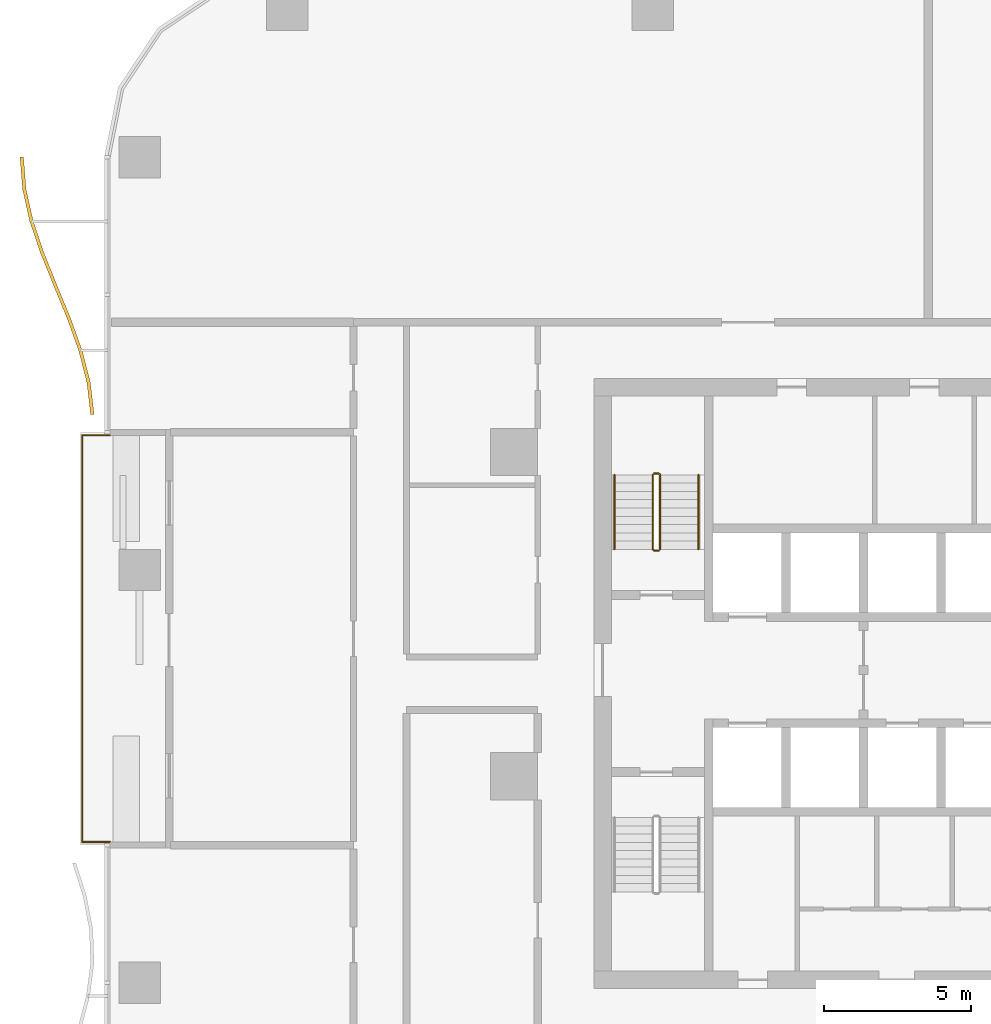
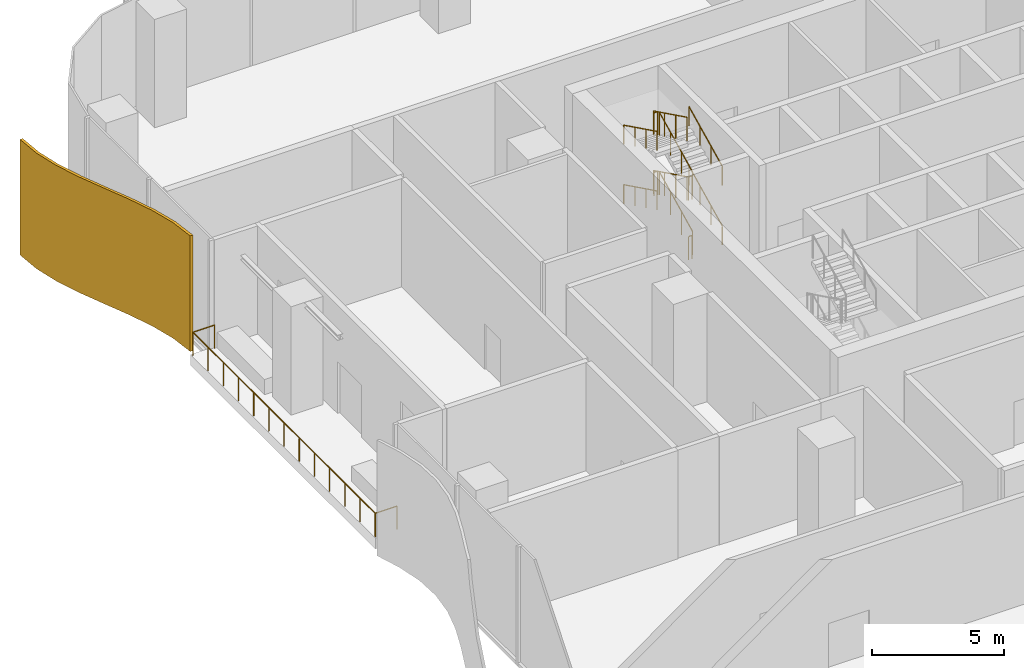
# One storey, part 17 of 20: 10 railings, 1 shading device.
"""IFC4 building model written with IfcOpenShell, lengths in metres."""

from ifc_helpers import new_model, si_unit, direction, frame, origin, origin_2d, place, context, subcontext, project, spatial, polyline, circle, outline, extrude, material, layer, layer_set, type_object, element, save


model = new_model("IFC4")

# Units and contexts
model_context = context("Model", 3, precision=1e-05, world=origin(), true_north=direction((0.0, 1.0)))
body_context = subcontext(model_context, "Body", "Model", "MODEL_VIEW")
ifc_project = project(units=[si_unit("LENGTHUNIT", "METRE"), si_unit("AREAUNIT", "SQUARE_METRE"), si_unit("VOLUMEUNIT", "CUBIC_METRE"), si_unit("PLANEANGLEUNIT", "RADIAN"), si_unit("MASSUNIT", "GRAM", prefix="KILO")], contexts=[model_context])

# Site, building, storey
site_placement = place(None, origin())
site = spatial("IfcSite", under=ifc_project, at=site_placement, CompositionType="ELEMENT")
building_placement = place(site_placement, origin())
building = spatial("IfcBuilding", under=site, at=building_placement, Name="Mopane Tessera Tower", CompositionType="ELEMENT")
storey_placement = place(building_placement, frame((0.0, 0.0, 14.5)))
storey = spatial("IfcBuildingStorey", under=building, at=storey_placement, Name="L02", CompositionType="ELEMENT", Elevation=14.5)

# Railings
ifc_material_1 = material(Name="Powder-coated steel balustrade", Category="steel")
railing_type_1 = type_object("IfcRailingType", Name="Escape stair guard 1100 mm", PredefinedType="GUARDRAIL", material=ifc_material_1)
railing_1_placement = place(storey_placement, frame((-12.14990234375, 7.699951171875, 0.137451171875)))
element("IfcRailing", 1, at=railing_1_placement, inside=storey, type_object=railing_type_1, Name="L02 ST2 stair guard 1", PredefinedType="GUARDRAIL", context=body_context, shape_type="SweptSolid", body=[
    extrude(circle(Radius=0.02392578125, at=origin_2d()), frame((0.0, 0.0, 1.076171875), z_axis=(0.0, 0.897604431175, 0.440801866075), x_axis=(-1.0, 0.0, 0.0)), (0.0, 0.0, 1.0), 2.807373046875),
    extrude(circle(Radius=0.02392578125, at=origin_2d()), frame((0.0, 2.52001953125, 2.3134765625), z_axis=(-0.707106781187, 0.707106781187, 0.0), x_axis=(-0.707106781187, -0.707106781187, 0.0)), (0.0, 0.0, 1.0), 0.07080078125),
    extrude(circle(Radius=0.02392578125, at=origin_2d()), frame((-0.050048828125, 2.570068359375, 2.3134765625), z_axis=(-1.0, 0.0, 0.0), x_axis=(0.0, -1.0, 0.0)), (0.0, 0.0, 1.0), 0.150146484375),
    extrude(circle(Radius=0.02099609375, at=origin_2d()), origin(), (0.0, 0.0, 1.0), 1.052001953125),
    extrude(circle(Radius=0.02099609375, at=origin_2d()), frame((0.0, 0.840087890625, 0.41259765625)), (0.0, 0.0, 1.0), 1.052001953125),
    extrude(circle(Radius=0.02099609375, at=origin_2d()), frame((0.0, 1.679931640625, 0.824951171875)), (0.0, 0.0, 1.0), 1.052001953125),
    extrude(circle(Radius=0.02099609375, at=origin_2d()), frame((0.0, 2.52001953125, 1.237548828125)), (0.0, 0.0, 1.0), 1.052001953125),
    extrude(circle(Radius=0.02099609375, at=origin_2d()), frame((-0.050048828125, 2.570068359375, 1.237548828125)), (0.0, 0.0, 1.0), 1.052001953125),
    extrude(circle(Radius=0.02099609375, at=origin_2d()), frame((-0.2001953125, 2.570068359375, 1.237548828125)), (0.0, 0.0, 1.0), 1.052001953125),
])
railing_2_placement = place(storey_placement, frame((-12.39990234375, 10.219970703125, 1.512451171875)))
element("IfcRailing", 2, at=railing_2_placement, inside=storey, type_object=railing_type_1, Name="L02 ST2 stair guard 2", PredefinedType="GUARDRAIL", context=body_context, shape_type="SweptSolid", body=[
    extrude(circle(Radius=0.02392578125, at=origin_2d()), frame((0.0, 0.0, 1.076171875), z_axis=(0.0, -0.897604431175, 0.440801866075), x_axis=(1.0, 0.0, 0.0)), (0.0, 0.0, 1.0), 2.807373046875),
    extrude(circle(Radius=0.02392578125, at=origin_2d()), frame((0.0, -2.52001953125, 2.3134765625), z_axis=(0.705375805398, -0.708833529934, 0.0), x_axis=(0.708833529934, 0.705375805398, 0.0)), (0.0, 0.0, 1.0), 0.070556640625),
    extrude(circle(Radius=0.02392578125, at=origin_2d()), frame((0.0498046875, -2.570068359375, 2.3134765625), z_axis=(1.0, 0.0, 0.0), x_axis=(0.0, 1.0, 0.0)), (0.0, 0.0, 1.0), 0.150146484375),
    extrude(circle(Radius=0.02099609375, at=origin_2d()), origin(), (0.0, 0.0, 1.0), 1.052001953125),
    extrude(circle(Radius=0.02099609375, at=origin_2d()), frame((0.0, -0.840087890625, 0.41259765625)), (0.0, 0.0, 1.0), 1.052001953125),
    extrude(circle(Radius=0.02099609375, at=origin_2d()), frame((0.0, -1.679931640625, 0.824951171875)), (0.0, 0.0, 1.0), 1.052001953125),
    extrude(circle(Radius=0.02099609375, at=origin_2d()), frame((0.0, -2.52001953125, 1.237548828125)), (0.0, 0.0, 1.0), 1.052001953125),
    extrude(circle(Radius=0.02099609375, at=origin_2d()), frame((0.0498046875, -2.570068359375, 1.237548828125)), (0.0, 0.0, 1.0), 1.052001953125),
    extrude(circle(Radius=0.02099609375, at=origin_2d()), frame((0.199951171875, -2.570068359375, 1.237548828125)), (0.0, 0.0, 1.0), 1.052001953125),
])
railing_3_placement = place(storey_placement, frame((-12.14990234375, 7.699951171875, 2.887451171875)))
element("IfcRailing", 3, at=railing_3_placement, inside=storey, type_object=railing_type_1, Name="L02 ST2 stair guard 3", PredefinedType="GUARDRAIL", context=body_context, shape_type="SweptSolid", body=[
    extrude(circle(Radius=0.02392578125, at=origin_2d()), frame((0.0, 0.0, 1.076171875), z_axis=(0.0, 0.897604431175, 0.440801866075), x_axis=(-1.0, 0.0, 0.0)), (0.0, 0.0, 1.0), 2.807373046875),
    extrude(circle(Radius=0.02392578125, at=origin_2d()), frame((0.0, 2.52001953125, 2.3134765625), z_axis=(-0.707106781187, 0.707106781187, 0.0), x_axis=(-0.707106781187, -0.707106781187, 0.0)), (0.0, 0.0, 1.0), 0.07080078125),
    extrude(circle(Radius=0.02392578125, at=origin_2d()), frame((-0.050048828125, 2.570068359375, 2.3134765625), z_axis=(-1.0, 0.0, 0.0), x_axis=(0.0, -1.0, 0.0)), (0.0, 0.0, 1.0), 0.150146484375),
    extrude(circle(Radius=0.02099609375, at=origin_2d()), origin(), (0.0, 0.0, 1.0), 1.052001953125),
    extrude(circle(Radius=0.02099609375, at=origin_2d()), frame((0.0, 0.840087890625, 0.41259765625)), (0.0, 0.0, 1.0), 1.052001953125),
    extrude(circle(Radius=0.02099609375, at=origin_2d()), frame((0.0, 1.679931640625, 0.824951171875)), (0.0, 0.0, 1.0), 1.052001953125),
    extrude(circle(Radius=0.02099609375, at=origin_2d()), frame((0.0, 2.52001953125, 1.237548828125)), (0.0, 0.0, 1.0), 1.052001953125),
    extrude(circle(Radius=0.02099609375, at=origin_2d()), frame((-0.050048828125, 2.570068359375, 1.237548828125)), (0.0, 0.0, 1.0), 1.052001953125),
    extrude(circle(Radius=0.02099609375, at=origin_2d()), frame((-0.2001953125, 2.570068359375, 1.237548828125)), (0.0, 0.0, 1.0), 1.052001953125),
])
railing_4_placement = place(storey_placement, frame((-12.39990234375, 10.219970703125, 4.262451171875)))
element("IfcRailing", 4, at=railing_4_placement, inside=storey, type_object=railing_type_1, Name="L02 ST2 stair guard 4", PredefinedType="GUARDRAIL", context=body_context, shape_type="SweptSolid", body=[
    extrude(circle(Radius=0.02392578125, at=origin_2d()), frame((0.0, 0.0, 1.076171875), z_axis=(0.0, -0.897604431175, 0.440801866075), x_axis=(1.0, 0.0, 0.0)), (0.0, 0.0, 1.0), 2.807373046875),
    extrude(circle(Radius=0.02099609375, at=origin_2d()), origin(), (0.0, 0.0, 1.0), 1.052001953125),
    extrude(circle(Radius=0.02099609375, at=origin_2d()), frame((0.0, -0.840087890625, 0.41259765625)), (0.0, 0.0, 1.0), 1.052001953125),
    extrude(circle(Radius=0.02099609375, at=origin_2d()), frame((0.0, -1.679931640625, 0.824951171875)), (0.0, 0.0, 1.0), 1.052001953125),
    extrude(circle(Radius=0.02099609375, at=origin_2d()), frame((0.0, -2.52001953125, 1.237548828125)), (0.0, 0.0, 1.0), 1.052001953125),
])
railing_5_placement = place(storey_placement, frame((-12.199951171875, 7.64990234375, 0.0)))
element("IfcRailing", 5, at=railing_5_placement, inside=storey, type_object=railing_type_1, Name="L02 ST2 stair guard 5", PredefinedType="GUARDRAIL", context=body_context, shape_type="SweptSolid", body=[
    extrude(circle(Radius=0.02392578125, at=origin_2d()), frame((0.0, 0.0, 1.076171875), z_axis=(-1.0, 0.0, 0.0), x_axis=(0.0, -1.0, 0.0)), (0.0, 0.0, 1.0), 0.150146484375),
    extrude(circle(Radius=0.02099609375, at=origin_2d()), origin(), (0.0, 0.0, 1.0), 1.052001953125),
    extrude(circle(Radius=0.02099609375, at=origin_2d()), frame((-0.150146484375, 0.0, 0.0)), (0.0, 0.0, 1.0), 1.052001953125),
])
ifc_material_2 = material(Name="Powder-coated steel balustrade", Category="steel")
railing_type_2 = type_object("IfcRailingType", Name="Escape stair handrail 900 mm", PredefinedType="HANDRAIL", material=ifc_material_2)
railing_6_placement = place(storey_placement, frame((-10.85009765625, 7.699951171875, 0.137451171875)))
element("IfcRailing", 6, at=railing_6_placement, inside=storey, type_object=railing_type_2, Name="L02 ST2 stair handrail 1", PredefinedType="HANDRAIL", context=body_context, shape_type="SweptSolid", body=[
    extrude(circle(Radius=0.02392578125, at=origin_2d()), frame((0.0, 0.0, 0.8759765625), z_axis=(0.0, 0.897604431175, 0.440801866075), x_axis=(-1.0, 0.0, 0.0)), (0.0, 0.0, 1.0), 2.807373046875),
    extrude(circle(Radius=0.02099609375, at=origin_2d()), origin(), (0.0, 0.0, 1.0), 0.851806640625),
    extrude(circle(Radius=0.02099609375, at=origin_2d()), frame((0.0, 0.840087890625, 0.41259765625)), (0.0, 0.0, 1.0), 0.851806640625),
    extrude(circle(Radius=0.02099609375, at=origin_2d()), frame((0.0, 1.679931640625, 0.824951171875)), (0.0, 0.0, 1.0), 0.851806640625),
    extrude(circle(Radius=0.02099609375, at=origin_2d()), frame((0.0, 2.52001953125, 1.237548828125)), (0.0, 0.0, 1.0), 0.851806640625),
])
railing_7_placement = place(storey_placement, frame((-13.699951171875, 10.219970703125, 1.512451171875)))
element("IfcRailing", 7, at=railing_7_placement, inside=storey, type_object=railing_type_2, Name="L02 ST2 stair handrail 2", PredefinedType="HANDRAIL", context=body_context, shape_type="SweptSolid", body=[
    extrude(circle(Radius=0.02392578125, at=origin_2d()), frame((0.0, 0.0, 0.8759765625), z_axis=(0.0, -0.897604431175, 0.440801866075), x_axis=(1.0, 0.0, 0.0)), (0.0, 0.0, 1.0), 2.807373046875),
    extrude(circle(Radius=0.02099609375, at=origin_2d()), origin(), (0.0, 0.0, 1.0), 0.851806640625),
    extrude(circle(Radius=0.02099609375, at=origin_2d()), frame((0.0, -0.840087890625, 0.41259765625)), (0.0, 0.0, 1.0), 0.851806640625),
    extrude(circle(Radius=0.02099609375, at=origin_2d()), frame((0.0, -1.679931640625, 0.824951171875)), (0.0, 0.0, 1.0), 0.851806640625),
    extrude(circle(Radius=0.02099609375, at=origin_2d()), frame((0.0, -2.52001953125, 1.237548828125)), (0.0, 0.0, 1.0), 0.851806640625),
])
railing_8_placement = place(storey_placement, frame((-10.85009765625, 7.699951171875, 2.887451171875)))
element("IfcRailing", 8, at=railing_8_placement, inside=storey, type_object=railing_type_2, Name="L02 ST2 stair handrail 3", PredefinedType="HANDRAIL", context=body_context, shape_type="SweptSolid", body=[
    extrude(circle(Radius=0.02392578125, at=origin_2d()), frame((0.0, 0.0, 0.8759765625), z_axis=(0.0, 0.897604431175, 0.440801866075), x_axis=(-1.0, 0.0, 0.0)), (0.0, 0.0, 1.0), 2.807373046875),
    extrude(circle(Radius=0.02099609375, at=origin_2d()), origin(), (0.0, 0.0, 1.0), 0.851806640625),
    extrude(circle(Radius=0.02099609375, at=origin_2d()), frame((0.0, 0.840087890625, 0.41259765625)), (0.0, 0.0, 1.0), 0.851806640625),
    extrude(circle(Radius=0.02099609375, at=origin_2d()), frame((0.0, 1.679931640625, 0.824951171875)), (0.0, 0.0, 1.0), 0.851806640625),
    extrude(circle(Radius=0.02099609375, at=origin_2d()), frame((0.0, 2.52001953125, 1.237548828125)), (0.0, 0.0, 1.0), 0.851806640625),
])
railing_9_placement = place(storey_placement, frame((-13.699951171875, 10.219970703125, 4.262451171875)))
element("IfcRailing", 9, at=railing_9_placement, inside=storey, type_object=railing_type_2, Name="L02 ST2 stair handrail 4", PredefinedType="HANDRAIL", context=body_context, shape_type="SweptSolid", body=[
    extrude(circle(Radius=0.02392578125, at=origin_2d()), frame((0.0, 0.0, 0.8759765625), z_axis=(0.0, -0.897604431175, 0.440801866075), x_axis=(1.0, 0.0, 0.0)), (0.0, 0.0, 1.0), 2.807373046875),
    extrude(circle(Radius=0.02099609375, at=origin_2d()), origin(), (0.0, 0.0, 1.0), 0.851806640625),
    extrude(circle(Radius=0.02099609375, at=origin_2d()), frame((0.0, -0.840087890625, 0.41259765625)), (0.0, 0.0, 1.0), 0.851806640625),
    extrude(circle(Radius=0.02099609375, at=origin_2d()), frame((0.0, -1.679931640625, 0.824951171875)), (0.0, 0.0, 1.0), 0.851806640625),
    extrude(circle(Radius=0.02099609375, at=origin_2d()), frame((0.0, -2.52001953125, 1.237548828125)), (0.0, 0.0, 1.0), 0.851806640625),
])
ifc_material_3 = material(Name="Stainless steel S316", Category="steel")
railing_type_3 = type_object("IfcRailingType", Name="Terrace guard 1100", PredefinedType="GUARDRAIL", material=ifc_material_3)
railing_10_placement = place(storey_placement, frame((-30.800048828125, 11.566650390625, 0.0)))
element("IfcRailing", 10, at=railing_10_placement, inside=storey, type_object=railing_type_3, Name="e:nw:L02:N3:guard", PredefinedType="GUARDRAIL", context=body_context, shape_type="SweptSolid", body=[
    extrude(circle(Radius=0.02392578125, at=origin_2d()), frame((0.0, 0.0, 1.076171875), z_axis=(-1.0, 0.0, 0.0), x_axis=(0.0, -1.0, 0.0)), (0.0, 0.0, 1.0), 0.949951171875),
    extrude(circle(Radius=0.02392578125, at=origin_2d()), frame((-0.949951171875, 0.0, 1.076171875), z_axis=(0.0, -1.0, 0.0), x_axis=(1.0, 0.0, 0.0)), (0.0, 0.0, 1.0), 13.800048828125),
    extrude(circle(Radius=0.02392578125, at=origin_2d()), frame((-0.949951171875, -13.800048828125, 1.076171875), z_axis=(1.0, 0.0, 0.0), x_axis=(0.0, 1.0, 0.0)), (0.0, 0.0, 1.0), 0.949951171875),
    extrude(circle(Radius=0.02099609375, at=origin_2d()), origin(), (0.0, 0.0, 1.0), 1.052001953125),
    extrude(circle(Radius=0.02099609375, at=origin_2d()), frame((-0.949951171875, 0.0, 0.0)), (0.0, 0.0, 1.0), 1.052001953125),
    extrude(circle(Radius=0.02099609375, at=origin_2d()), frame((-0.949951171875, -1.14990234375, 0.0)), (0.0, 0.0, 1.0), 1.052001953125),
    extrude(circle(Radius=0.02099609375, at=origin_2d()), frame((-0.949951171875, -2.300048828125, 0.0)), (0.0, 0.0, 1.0), 1.052001953125),
    extrude(circle(Radius=0.02099609375, at=origin_2d()), frame((-0.949951171875, -3.449951171875, 0.0)), (0.0, 0.0, 1.0), 1.052001953125),
    extrude(circle(Radius=0.02099609375, at=origin_2d()), frame((-0.949951171875, -4.60009765625, 0.0)), (0.0, 0.0, 1.0), 1.052001953125),
    extrude(circle(Radius=0.02099609375, at=origin_2d()), frame((-0.949951171875, -5.75, 0.0)), (0.0, 0.0, 1.0), 1.052001953125),
    extrude(circle(Radius=0.02099609375, at=origin_2d()), frame((-0.949951171875, -6.89990234375, 0.0)), (0.0, 0.0, 1.0), 1.052001953125),
    extrude(circle(Radius=0.02099609375, at=origin_2d()), frame((-0.949951171875, -8.050048828125, 0.0)), (0.0, 0.0, 1.0), 1.052001953125),
    extrude(circle(Radius=0.02099609375, at=origin_2d()), frame((-0.949951171875, -9.199951171875, 0.0)), (0.0, 0.0, 1.0), 1.052001953125),
    extrude(circle(Radius=0.02099609375, at=origin_2d()), frame((-0.949951171875, -10.35009765625, 0.0)), (0.0, 0.0, 1.0), 1.052001953125),
    extrude(circle(Radius=0.02099609375, at=origin_2d()), frame((-0.949951171875, -11.5, 0.0)), (0.0, 0.0, 1.0), 1.052001953125),
    extrude(circle(Radius=0.02099609375, at=origin_2d()), frame((-0.949951171875, -12.650146484375, 0.0)), (0.0, 0.0, 1.0), 1.052001953125),
    extrude(circle(Radius=0.02099609375, at=origin_2d()), frame((-0.949951171875, -13.800048828125, 0.0)), (0.0, 0.0, 1.0), 1.052001953125),
    extrude(circle(Radius=0.02099609375, at=origin_2d()), frame((0.0, -13.800048828125, 0.0)), (0.0, 0.0, 1.0), 1.052001953125),
])

# Shading device
ifc_material_4 = material(Name="Anodised aluminium louvre blades", Category="aluminium")
ifc_layer = layer(ifc_material_4, 0.1201171875)
ifc_layer_set = layer_set([ifc_layer], Name="Anodised aluminium louvre blades")
shading_device_type = type_object("IfcShadingDeviceType", Name="Wave louvre screen", PredefinedType="JALOUSIE", material=ifc_layer_set)
shading_device_placement = place(storey_placement, frame((0.0, 0.0, -0.340087890625)))
element("IfcShadingDevice", 11, at=shading_device_placement, inside=storey, type_object=shading_device_type, Name="e:lv:L02:W:0", PredefinedType="JALOUSIE", context=body_context, shape_type="SweptSolid", body=[
    extrude(outline(polyline([(-33.739990234375, 21.0), (-33.65380859375, 19.908447265625), (-33.407958984375, 18.816650390625), (-33.03759765625, 17.72509765625), (-32.595947265625, 16.63330078125), (-32.14599609375, 15.541748046875), (-31.752685546875, 14.449951171875), (-31.472412109375, 13.3583984375), (-31.34521484375, 12.2666015625), (-31.465087890625, 12.2666015625), (-31.59228515625, 13.3583984375), (-31.872802734375, 14.449951171875), (-32.26611328125, 15.541748046875), (-32.7158203125, 16.63330078125), (-33.15771484375, 17.72509765625), (-33.528076171875, 18.816650390625), (-33.77392578125, 19.908447265625), (-33.860107421875, 21.0), (-33.739990234375, 21.0)])), origin(), (0.0, 0.0, 1.0), 5.340087890625),
])

save(model, "model.ifc")
